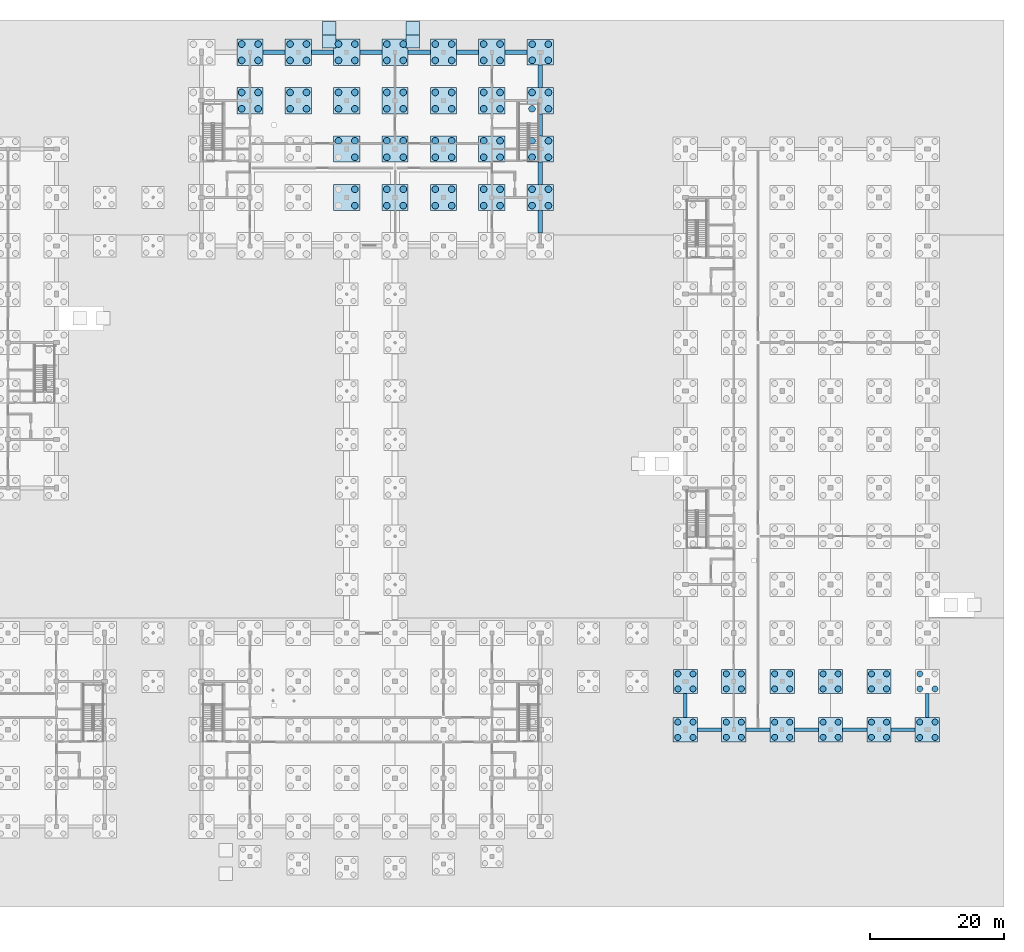
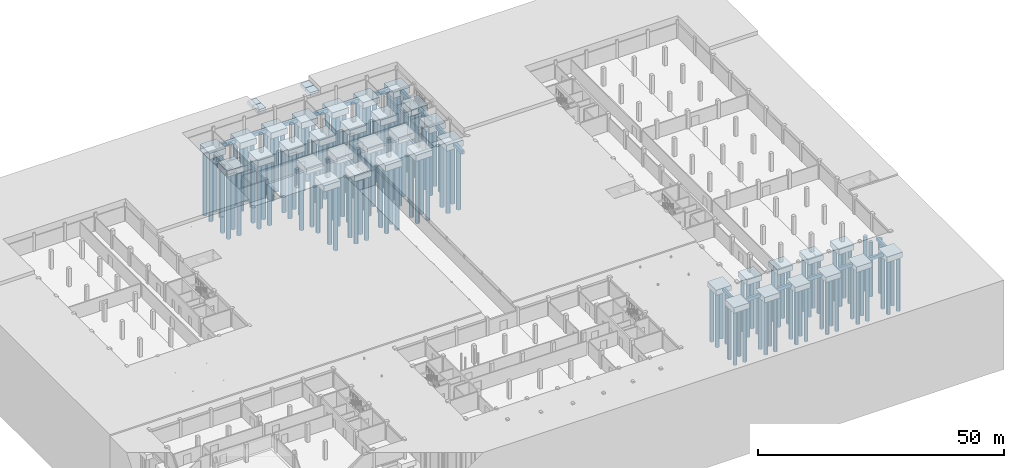
# One storey, part 6 of 51: 140 piles, 56 footings.
"""IFC4 building model written with IfcOpenShell, lengths in metres."""

from ifc_helpers import new_model, si_unit, direction, frame, origin, origin_2d, place, context, subcontext, project, spatial, rectangle, circle, extrude, material, material_profile, profile_set, type_object, element, save


model = new_model("IFC4")

# Units and contexts
model_context = context("Model", 3, precision=1e-05, world=origin(), true_north=direction((0.0, 1.0)))
body_context = subcontext(model_context, "Body", "Model", "MODEL_VIEW")
ifc_project = project(units=[si_unit("LENGTHUNIT", "METRE"), si_unit("AREAUNIT", "SQUARE_METRE"), si_unit("VOLUMEUNIT", "CUBIC_METRE"), si_unit("PLANEANGLEUNIT", "RADIAN"), si_unit("MASSUNIT", "GRAM", prefix="KILO")], contexts=[model_context])

# Site, building, storey
site_placement = place(None, origin())
site = spatial("IfcSite", under=ifc_project, at=site_placement, CompositionType="ELEMENT")
building_placement = place(site_placement, origin())
building = spatial("IfcBuilding", under=site, at=building_placement, Name="Zlatovets Crest Museum", CompositionType="ELEMENT")
storey_placement = place(building_placement, frame((0.0, 0.0, -4.5)))
storey = spatial("IfcBuildingStorey", under=building, at=storey_placement, Name="B1", CompositionType="ELEMENT", Elevation=-4.5)

# Piles
ifc_material = material(Name="Concrete C35/45", Category="concrete")
ifc_material_profile_1 = material_profile(ifc_material, circle(Radius=0.5, at=origin_2d()), Name="PILE D1000")
ifc_profile_set_1 = profile_set([ifc_material_profile_1], Name="Concrete C35/45")
pile_type_1 = type_object("IfcPileType", Name="BoredPile_PL-03", PredefinedType="BORED", material=ifc_profile_set_1)
for number, where, z_axis, x_axis, name in (
    (1, (63.580078125, 106.780029296875, -1.75), (0.0, 0.0, -1.0), (1.0, 0.0, 0.0), "Bored pile PL-03 V1-X01Y03.1"),
    (2, (63.580078125, 109.219970703125, -1.75), (0.0, 0.0, -1.0), (1.0, 0.0, 0.0), "Bored pile PL-03 V1-X01Y03.2"),
    (3, (66.02001953125, 106.780029296875, -1.75), (0.0, 0.0, -1.0), (1.0, 0.0, 0.0), "Bored pile PL-03 V1-X01Y03.3"),
    (4, (66.02001953125, 109.219970703125, -1.75), (0.0, 0.0, -1.0), (1.0, 0.0, 0.0), "Bored pile PL-03 V1-X01Y03.4"),
    (5, (63.580078125, 113.97998046875, -1.75), (0.0, 0.0, -1.0), (1.0, 0.0, 0.0), "Bored pile PL-03 V1-X01Y04.1"),
    (6, (63.580078125, 116.419921875, -1.75), (0.0, 0.0, -1.0), (1.0, 0.0, 0.0), "Bored pile PL-03 V1-X01Y04.2"),
    (7, (66.02001953125, 113.97998046875, -1.75), (0.0, 0.0, -1.0), (1.0, 0.0, 0.0), "Bored pile PL-03 V1-X01Y04.3"),
    (8, (66.02001953125, 116.419921875, -1.75), (0.0, 0.0, -1.0), (1.0, 0.0, 0.0), "Bored pile PL-03 V1-X01Y04.4"),
    (9, (70.780029296875, 106.780029296875, -1.75), (0.0, 0.0, -1.0), (1.0, 0.0, 0.0), "Bored pile PL-03 V1-X02Y03.1"),
    (10, (70.780029296875, 109.219970703125, -1.75), (0.0, 0.0, -1.0), (1.0, 0.0, 0.0), "Bored pile PL-03 V1-X02Y03.2"),
    (11, (73.219970703125, 106.780029296875, -1.75), (0.0, 0.0, -1.0), (1.0, 0.0, 0.0), "Bored pile PL-03 V1-X02Y03.3"),
    (12, (73.219970703125, 109.219970703125, -1.75), (0.0, 0.0, -1.0), (1.0, 0.0, 0.0), "Bored pile PL-03 V1-X02Y03.4"),
    (13, (70.780029296875, 113.97998046875, -1.75), (0.0, 0.0, -1.0), (1.0, 0.0, 0.0), "Bored pile PL-03 V1-X02Y04.1"),
    (14, (70.780029296875, 116.419921875, -1.75), (0.0, 0.0, -1.0), (1.0, 0.0, 0.0), "Bored pile PL-03 V1-X02Y04.2"),
    (15, (73.219970703125, 113.97998046875, -1.75), (0.0, 0.0, -1.0), (1.0, 0.0, 0.0), "Bored pile PL-03 V1-X02Y04.3"),
    (16, (73.219970703125, 116.419921875, -1.75), (0.0, 0.0, -1.0), (1.0, 0.0, 0.0), "Bored pile PL-03 V1-X02Y04.4"),
    (17, (80.419921875, 92.3798828125, -1.75), (0.0, 0.0, -1.0), (1.0, 0.0, 0.0), "Bored pile PL-03 V1-X03Y01.3"),
    (18, (80.419921875, 94.820068359375, -1.75), (0.0, 0.0, -1.0), (1.0, 0.0, 0.0), "Bored pile PL-03 V1-X03Y01.4"),
    (19, (77.97998046875, 102.02001953125, -1.75), (0.0, 0.0, -1.0), (1.0, 0.0, 0.0), "Bored pile PL-03 V1-X03Y02.2"),
    (20, (80.419921875, 99.580078125, -1.75), (0.0, 0.0, -1.0), (1.0, 0.0, 0.0), "Bored pile PL-03 V1-X03Y02.3"),
    (21, (80.419921875, 102.02001953125, -1.75), (0.0, 0.0, -1.0), (1.0, 0.0, 0.0), "Bored pile PL-03 V1-X03Y02.4"),
    (22, (77.97998046875, 106.780029296875, -1.75), (0.0, 0.0, -1.0), (1.0, 0.0, 0.0), "Bored pile PL-03 V1-X03Y03.1"),
    (23, (77.97998046875, 109.219970703125, -1.75), (0.0, 0.0, -1.0), (1.0, 0.0, 0.0), "Bored pile PL-03 V1-X03Y03.2"),
    (24, (80.419921875, 106.780029296875, -1.75), (0.0, 0.0, -1.0), (1.0, 0.0, 0.0), "Bored pile PL-03 V1-X03Y03.3"),
    (25, (80.419921875, 109.219970703125, -1.75), (0.0, 0.0, -1.0), (1.0, 0.0, 0.0), "Bored pile PL-03 V1-X03Y03.4"),
    (26, (77.97998046875, 113.97998046875, -1.75), (0.0, 0.0, -1.0), (1.0, 0.0, 0.0), "Bored pile PL-03 V1-X03Y04.1"),
    (27, (77.97998046875, 116.419921875, -1.75), (0.0, 0.0, -1.0), (1.0, 0.0, 0.0), "Bored pile PL-03 V1-X03Y04.2"),
    (28, (80.419921875, 113.97998046875, -1.75), (0.0, 0.0, -1.0), (1.0, 0.0, 0.0), "Bored pile PL-03 V1-X03Y04.3"),
    (29, (80.419921875, 116.419921875, -1.75), (0.0, 0.0, -1.0), (1.0, 0.0, 0.0), "Bored pile PL-03 V1-X03Y04.4"),
    (30, (85.179931640625, 92.3798828125, -1.75), (0.0, 0.0, -1.0), (1.0, 0.0, 0.0), "Bored pile PL-03 V1-X04Y01.1"),
    (31, (85.179931640625, 94.820068359375, -1.75), (0.0, 0.0, -1.0), (1.0, 0.0, 0.0), "Bored pile PL-03 V1-X04Y01.2"),
    (32, (87.6201171875, 92.3798828125, -1.75), (0.0, 0.0, -1.0), (1.0, 0.0, 0.0), "Bored pile PL-03 V1-X04Y01.3"),
    (33, (87.6201171875, 94.820068359375, -1.75), (0.0, 0.0, -1.0), (1.0, 0.0, 0.0), "Bored pile PL-03 V1-X04Y01.4"),
    (34, (85.179931640625, 99.580078125, -1.75), (0.0, 0.0, -1.0), (1.0, 0.0, 0.0), "Bored pile PL-03 V1-X04Y02.1"),
    (35, (85.179931640625, 102.02001953125, -1.75), (0.0, 0.0, -1.0), (1.0, 0.0, 0.0), "Bored pile PL-03 V1-X04Y02.2"),
    (36, (87.6201171875, 99.580078125, -1.75), (0.0, 0.0, -1.0), (1.0, 0.0, 0.0), "Bored pile PL-03 V1-X04Y02.3"),
    (37, (87.6201171875, 102.02001953125, -1.75), (0.0, 0.0, -1.0), (1.0, 0.0, 0.0), "Bored pile PL-03 V1-X04Y02.4"),
    (38, (85.179931640625, 106.780029296875, -1.75), (0.0, 0.0, -1.0), (1.0, 0.0, 0.0), "Bored pile PL-03 V1-X04Y03.1"),
    (39, (85.179931640625, 109.219970703125, -1.75), (0.0, 0.0, -1.0), (1.0, 0.0, 0.0), "Bored pile PL-03 V1-X04Y03.2"),
    (40, (87.6201171875, 106.780029296875, -1.75), (0.0, 0.0, -1.0), (1.0, 0.0, 0.0), "Bored pile PL-03 V1-X04Y03.3"),
    (41, (87.6201171875, 109.219970703125, -1.75), (0.0, 0.0, -1.0), (1.0, 0.0, 0.0), "Bored pile PL-03 V1-X04Y03.4"),
    (42, (85.179931640625, 113.97998046875, -1.75), (0.0, 0.0, -1.0), (1.0, 0.0, 0.0), "Bored pile PL-03 V1-X04Y04.1"),
    (43, (85.179931640625, 116.419921875, -1.75), (0.0, 0.0, -1.0), (1.0, 0.0, 0.0), "Bored pile PL-03 V1-X04Y04.2"),
    (44, (87.6201171875, 113.97998046875, -1.75), (0.0, 0.0, -1.0), (1.0, 0.0, 0.0), "Bored pile PL-03 V1-X04Y04.3"),
    (45, (87.6201171875, 116.419921875, -1.75), (0.0, 0.0, -1.0), (1.0, 0.0, 0.0), "Bored pile PL-03 V1-X04Y04.4"),
    (46, (92.3798828125, 92.3798828125, -1.75), (0.0, 0.0, -1.0), (1.0, 0.0, 0.0), "Bored pile PL-03 V1-X05Y01.1"),
    (47, (92.3798828125, 94.820068359375, -1.75), (0.0, 0.0, -1.0), (1.0, 0.0, 0.0), "Bored pile PL-03 V1-X05Y01.2"),
    (48, (94.820068359375, 92.3798828125, -1.75), (0.0, 0.0, -1.0), (1.0, 0.0, 0.0), "Bored pile PL-03 V1-X05Y01.3"),
    (49, (94.820068359375, 94.820068359375, -1.75), (0.0, 0.0, -1.0), (1.0, 0.0, 0.0), "Bored pile PL-03 V1-X05Y01.4"),
    (50, (92.3798828125, 99.580078125, -1.75), (0.0, 0.0, -1.0), (1.0, 0.0, 0.0), "Bored pile PL-03 V1-X05Y02.1"),
    (51, (92.3798828125, 102.02001953125, -1.75), (0.0, 0.0, -1.0), (1.0, 0.0, 0.0), "Bored pile PL-03 V1-X05Y02.2"),
    (52, (94.820068359375, 99.580078125, -1.75), (0.0, 0.0, -1.0), (1.0, 0.0, 0.0), "Bored pile PL-03 V1-X05Y02.3"),
    (53, (94.820068359375, 102.02001953125, -1.75), (0.0, 0.0, -1.0), (1.0, 0.0, 0.0), "Bored pile PL-03 V1-X05Y02.4"),
    (54, (92.3798828125, 106.780029296875, -1.75), (0.0, 0.0, -1.0), (1.0, 0.0, 0.0), "Bored pile PL-03 V1-X05Y03.1"),
    (55, (92.3798828125, 109.219970703125, -1.75), (0.0, 0.0, -1.0), (1.0, 0.0, 0.0), "Bored pile PL-03 V1-X05Y03.2"),
    (56, (94.820068359375, 106.780029296875, -1.75), (0.0, 0.0, -1.0), (1.0, 0.0, 0.0), "Bored pile PL-03 V1-X05Y03.3"),
    (57, (94.820068359375, 109.219970703125, -1.75), (0.0, 0.0, -1.0), (1.0, 0.0, 0.0), "Bored pile PL-03 V1-X05Y03.4"),
    (58, (92.3798828125, 113.97998046875, -1.75), (0.0, 0.0, -1.0), (1.0, 0.0, 0.0), "Bored pile PL-03 V1-X05Y04.1"),
    (59, (92.3798828125, 116.419921875, -1.75), (0.0, 0.0, -1.0), (1.0, 0.0, 0.0), "Bored pile PL-03 V1-X05Y04.2"),
    (60, (94.820068359375, 113.97998046875, -1.75), (0.0, 0.0, -1.0), (1.0, 0.0, 0.0), "Bored pile PL-03 V1-X05Y04.3"),
    (61, (94.820068359375, 116.419921875, -1.75), (0.0, 0.0, -1.0), (1.0, 0.0, 0.0), "Bored pile PL-03 V1-X05Y04.4"),
    (62, (99.580078125, 92.3798828125, -1.75), (0.0, 0.0, -1.0), (1.0, 0.0, 0.0), "Bored pile PL-03 V1-X06Y01.1"),
    (63, (99.580078125, 94.820068359375, -1.75), (0.0, 0.0, -1.0), (1.0, 0.0, 0.0), "Bored pile PL-03 V1-X06Y01.2"),
    (64, (102.02001953125, 92.3798828125, -1.75), (0.0, 0.0, -1.0), (1.0, 0.0, 0.0), "Bored pile PL-03 V1-X06Y01.3"),
    (65, (102.02001953125, 94.820068359375, -1.75), (0.0, 0.0, -1.0), (1.0, 0.0, 0.0), "Bored pile PL-03 V1-X06Y01.4"),
    (66, (99.580078125, 99.580078125, -1.75), (0.0, 0.0, -1.0), (1.0, 0.0, 0.0), "Bored pile PL-03 V1-X06Y02.1"),
    (67, (99.580078125, 102.02001953125, -1.75), (0.0, 0.0, -1.0), (1.0, 0.0, 0.0), "Bored pile PL-03 V1-X06Y02.2"),
    (68, (102.02001953125, 99.580078125, -1.75), (0.0, 0.0, -1.0), (1.0, 0.0, 0.0), "Bored pile PL-03 V1-X06Y02.3"),
    (69, (102.02001953125, 102.02001953125, -1.75), (0.0, 0.0, -1.0), (1.0, 0.0, 0.0), "Bored pile PL-03 V1-X06Y02.4"),
    (70, (99.580078125, 106.780029296875, -1.75), (0.0, 0.0, -1.0), (1.0, 0.0, 0.0), "Bored pile PL-03 V1-X06Y03.1"),
    (71, (99.580078125, 109.219970703125, -1.75), (0.0, 0.0, -1.0), (1.0, 0.0, 0.0), "Bored pile PL-03 V1-X06Y03.2"),
    (72, (102.02001953125, 106.780029296875, -1.75), (0.0, 0.0, -1.0), (1.0, 0.0, 0.0), "Bored pile PL-03 V1-X06Y03.3"),
    (73, (102.02001953125, 109.219970703125, -1.75), (0.0, 0.0, -1.0), (1.0, 0.0, 0.0), "Bored pile PL-03 V1-X06Y03.4"),
    (74, (99.580078125, 113.97998046875, -1.75), (0.0, 0.0, -1.0), (1.0, 0.0, 0.0), "Bored pile PL-03 V1-X06Y04.1"),
    (75, (99.580078125, 116.419921875, -1.75), (0.0, 0.0, -1.0), (1.0, 0.0, 0.0), "Bored pile PL-03 V1-X06Y04.2"),
    (76, (102.02001953125, 113.97998046875, -1.75), (0.0, 0.0, -1.0), (1.0, 0.0, 0.0), "Bored pile PL-03 V1-X06Y04.3"),
    (77, (102.02001953125, 116.419921875, -1.75), (0.0, 0.0, -1.0), (1.0, 0.0, 0.0), "Bored pile PL-03 V1-X06Y04.4"),
    (78, (106.780029296875, 92.3798828125, -1.75), (0.0, 0.0, -1.0), (1.0, 0.0, 0.0), "Bored pile PL-03 V1-X07Y01.1"),
    (79, (106.780029296875, 94.820068359375, -1.75), (0.0, 0.0, -1.0), (1.0, 0.0, 0.0), "Bored pile PL-03 V1-X07Y01.2"),
    (80, (109.219970703125, 92.3798828125, -1.75), (0.0, 0.0, -1.0), (1.0, 0.0, 0.0), "Bored pile PL-03 V1-X07Y01.3"),
    (81, (109.219970703125, 94.820068359375, -1.75), (0.0, 0.0, -1.0), (1.0, 0.0, 0.0), "Bored pile PL-03 V1-X07Y01.4"),
    (82, (106.780029296875, 99.580078125, -1.75), (0.0, 0.0, -1.0), (1.0, 0.0, 0.0), "Bored pile PL-03 V1-X07Y02.1"),
    (83, (106.780029296875, 102.02001953125, -1.75), (0.0, 0.0, -1.0), (1.0, 0.0, 0.0), "Bored pile PL-03 V1-X07Y02.2"),
    (84, (109.219970703125, 99.580078125, -1.75), (0.0, 0.0, -1.0), (1.0, 0.0, 0.0), "Bored pile PL-03 V1-X07Y02.3"),
    (85, (109.219970703125, 102.02001953125, -1.75), (0.0, 0.0, -1.0), (1.0, 0.0, 0.0), "Bored pile PL-03 V1-X07Y02.4"),
    (86, (106.780029296875, 106.780029296875, -1.75), (0.0, 0.0, -1.0), (1.0, 0.0, 0.0), "Bored pile PL-03 V1-X07Y03.1"),
    (87, (106.780029296875, 109.219970703125, -1.75), (0.0, 0.0, -1.0), (1.0, 0.0, 0.0), "Bored pile PL-03 V1-X07Y03.2"),
    (88, (109.219970703125, 106.780029296875, -1.75), (0.0, 0.0, -1.0), (1.0, 0.0, 0.0), "Bored pile PL-03 V1-X07Y03.3"),
    (89, (109.219970703125, 109.219970703125, -1.75), (0.0, 0.0, -1.0), (1.0, 0.0, 0.0), "Bored pile PL-03 V1-X07Y03.4"),
    (90, (106.800048828125, 114.0, -1.699951171875), (0.0, 0.0, -1.0), (1.0, 0.0, 0.0), "Bored pile PL-03 V1-X07Y04.1"),
    (91, (106.800048828125, 116.39990234375, -1.699951171875), (0.0, 0.0, -1.0), (1.0, 0.0, 0.0), "Bored pile PL-03 V1-X07Y04.2"),
    (92, (109.199951171875, 114.0, -1.699951171875), (0.0, 0.0, -1.0), (1.0, 0.0, 0.0), "Bored pile PL-03 V1-X07Y04.3"),
    (93, (109.199951171875, 116.39990234375, -1.699951171875), (0.0, 0.0, -1.0), (1.0, 0.0, 0.0), "Bored pile PL-03 V1-X07Y04.4"),
):
    element("IfcPile", number, at=place(storey_placement, frame(where, z_axis=z_axis, x_axis=x_axis)), inside=storey, type_object=pile_type_1, Name=name, PredefinedType="BORED", context=body_context, shape_type="SweptSolid", body=[
        extrude(circle(Radius=0.5, at=origin_2d()), origin(), (0.0, 0.0, 1.0), 16.0),
    ])
ifc_material_profile_2 = material_profile(ifc_material, circle(Radius=0.449951171875, at=origin_2d()), Name="PILE D900")
ifc_profile_set_2 = profile_set([ifc_material_profile_2], Name="Concrete C35/45")
pile_type_2 = type_object("IfcPileType", Name="BoredPile_PL-04", PredefinedType="BORED", material=ifc_profile_set_2)
for number, where, z_axis, x_axis, name in (
    (94, (128.4599609375, 13.260009765625, -1.60009765625), (0.0, 0.0, -1.0), (1.0, 0.0, 0.0), "Bored pile PL-04 V5-X00Y00.1"),
    (95, (128.4599609375, 15.5400390625, -1.60009765625), (0.0, 0.0, -1.0), (1.0, 0.0, 0.0), "Bored pile PL-04 V5-X00Y00.2"),
    (96, (130.739990234375, 13.260009765625, -1.60009765625), (0.0, 0.0, -1.0), (1.0, 0.0, 0.0), "Bored pile PL-04 V5-X00Y00.3"),
    (97, (130.739990234375, 15.5400390625, -1.60009765625), (0.0, 0.0, -1.0), (1.0, 0.0, 0.0), "Bored pile PL-04 V5-X00Y00.4"),
    (98, (128.47998046875, 20.47998046875, -1.550048828125), (0.0, 0.0, -1.0), (1.0, 0.0, 0.0), "Bored pile PL-04 V5-X00Y01.1"),
    (99, (128.47998046875, 22.719970703125, -1.550048828125), (0.0, 0.0, -1.0), (1.0, 0.0, 0.0), "Bored pile PL-04 V5-X00Y01.2"),
    (100, (130.719970703125, 20.47998046875, -1.550048828125), (0.0, 0.0, -1.0), (1.0, 0.0, 0.0), "Bored pile PL-04 V5-X00Y01.3"),
    (101, (130.719970703125, 22.719970703125, -1.550048828125), (0.0, 0.0, -1.0), (1.0, 0.0, 0.0), "Bored pile PL-04 V5-X00Y01.4"),
    (102, (135.679931640625, 13.280029296875, -1.550048828125), (0.0, 0.0, -1.0), (1.0, 0.0, 0.0), "Bored pile PL-04 V5-X01Y00.1"),
    (103, (135.679931640625, 15.52001953125, -1.550048828125), (0.0, 0.0, -1.0), (1.0, 0.0, 0.0), "Bored pile PL-04 V5-X01Y00.2"),
    (104, (137.919921875, 13.280029296875, -1.550048828125), (0.0, 0.0, -1.0), (1.0, 0.0, 0.0), "Bored pile PL-04 V5-X01Y00.3"),
    (105, (137.919921875, 15.52001953125, -1.550048828125), (0.0, 0.0, -1.0), (1.0, 0.0, 0.0), "Bored pile PL-04 V5-X01Y00.4"),
    (106, (135.679931640625, 20.47998046875, -1.550048828125), (0.0, 0.0, -1.0), (1.0, 0.0, 0.0), "Bored pile PL-04 V5-X01Y01.1"),
    (107, (135.679931640625, 22.719970703125, -1.550048828125), (0.0, 0.0, -1.0), (1.0, 0.0, 0.0), "Bored pile PL-04 V5-X01Y01.2"),
    (108, (137.919921875, 20.47998046875, -1.550048828125), (0.0, 0.0, -1.0), (1.0, 0.0, 0.0), "Bored pile PL-04 V5-X01Y01.3"),
    (109, (137.919921875, 22.719970703125, -1.550048828125), (0.0, 0.0, -1.0), (1.0, 0.0, 0.0), "Bored pile PL-04 V5-X01Y01.4"),
    (110, (142.8798828125, 13.280029296875, -1.550048828125), (0.0, 0.0, -1.0), (1.0, 0.0, 0.0), "Bored pile PL-04 V5-X02Y00.1"),
    (111, (142.8798828125, 15.52001953125, -1.550048828125), (0.0, 0.0, -1.0), (1.0, 0.0, 0.0), "Bored pile PL-04 V5-X02Y00.2"),
    (112, (145.1201171875, 13.280029296875, -1.550048828125), (0.0, 0.0, -1.0), (1.0, 0.0, 0.0), "Bored pile PL-04 V5-X02Y00.3"),
    (113, (145.1201171875, 15.52001953125, -1.550048828125), (0.0, 0.0, -1.0), (1.0, 0.0, 0.0), "Bored pile PL-04 V5-X02Y00.4"),
    (114, (142.8798828125, 20.47998046875, -1.550048828125), (0.0, 0.0, -1.0), (1.0, 0.0, 0.0), "Bored pile PL-04 V5-X02Y01.1"),
    (115, (142.8798828125, 22.719970703125, -1.550048828125), (0.0, 0.0, -1.0), (1.0, 0.0, 0.0), "Bored pile PL-04 V5-X02Y01.2"),
    (116, (145.1201171875, 20.47998046875, -1.550048828125), (0.0, 0.0, -1.0), (1.0, 0.0, 0.0), "Bored pile PL-04 V5-X02Y01.3"),
    (117, (145.1201171875, 22.719970703125, -1.550048828125), (0.0, 0.0, -1.0), (1.0, 0.0, 0.0), "Bored pile PL-04 V5-X02Y01.4"),
    (118, (150.080078125, 13.280029296875, -1.550048828125), (0.0, 0.0, -1.0), (1.0, 0.0, 0.0), "Bored pile PL-04 V5-X03Y00.1"),
    (119, (150.080078125, 15.52001953125, -1.550048828125), (0.0, 0.0, -1.0), (1.0, 0.0, 0.0), "Bored pile PL-04 V5-X03Y00.2"),
    (120, (152.320068359375, 13.280029296875, -1.550048828125), (0.0, 0.0, -1.0), (1.0, 0.0, 0.0), "Bored pile PL-04 V5-X03Y00.3"),
    (121, (152.320068359375, 15.52001953125, -1.550048828125), (0.0, 0.0, -1.0), (1.0, 0.0, 0.0), "Bored pile PL-04 V5-X03Y00.4"),
    (122, (150.080078125, 20.47998046875, -1.550048828125), (0.0, 0.0, -1.0), (1.0, 0.0, 0.0), "Bored pile PL-04 V5-X03Y01.1"),
    (123, (150.080078125, 22.719970703125, -1.550048828125), (0.0, 0.0, -1.0), (1.0, 0.0, 0.0), "Bored pile PL-04 V5-X03Y01.2"),
    (124, (152.320068359375, 20.47998046875, -1.550048828125), (0.0, 0.0, -1.0), (1.0, 0.0, 0.0), "Bored pile PL-04 V5-X03Y01.3"),
    (125, (152.320068359375, 22.719970703125, -1.550048828125), (0.0, 0.0, -1.0), (1.0, 0.0, 0.0), "Bored pile PL-04 V5-X03Y01.4"),
    (126, (157.280029296875, 13.280029296875, -1.550048828125), (0.0, 0.0, -1.0), (1.0, 0.0, 0.0), "Bored pile PL-04 V5-X04Y00.1"),
    (127, (157.280029296875, 15.52001953125, -1.550048828125), (0.0, 0.0, -1.0), (1.0, 0.0, 0.0), "Bored pile PL-04 V5-X04Y00.2"),
    (128, (159.52001953125, 13.280029296875, -1.550048828125), (0.0, 0.0, -1.0), (1.0, 0.0, 0.0), "Bored pile PL-04 V5-X04Y00.3"),
    (129, (159.52001953125, 15.52001953125, -1.550048828125), (0.0, 0.0, -1.0), (1.0, 0.0, 0.0), "Bored pile PL-04 V5-X04Y00.4"),
    (130, (157.280029296875, 20.47998046875, -1.550048828125), (0.0, 0.0, -1.0), (1.0, 0.0, 0.0), "Bored pile PL-04 V5-X04Y01.1"),
    (131, (157.280029296875, 22.719970703125, -1.550048828125), (0.0, 0.0, -1.0), (1.0, 0.0, 0.0), "Bored pile PL-04 V5-X04Y01.2"),
    (132, (159.52001953125, 20.47998046875, -1.550048828125), (0.0, 0.0, -1.0), (1.0, 0.0, 0.0), "Bored pile PL-04 V5-X04Y01.3"),
    (133, (159.52001953125, 22.719970703125, -1.550048828125), (0.0, 0.0, -1.0), (1.0, 0.0, 0.0), "Bored pile PL-04 V5-X04Y01.4"),
    (134, (164.4599609375, 13.260009765625, -1.60009765625), (0.0, 0.0, -1.0), (1.0, 0.0, 0.0), "Bored pile PL-04 V5-X05Y00.1"),
    (135, (164.4599609375, 15.5400390625, -1.60009765625), (0.0, 0.0, -1.0), (1.0, 0.0, 0.0), "Bored pile PL-04 V5-X05Y00.2"),
    (136, (166.739990234375, 13.260009765625, -1.60009765625), (0.0, 0.0, -1.0), (1.0, 0.0, 0.0), "Bored pile PL-04 V5-X05Y00.3"),
    (137, (166.739990234375, 15.5400390625, -1.60009765625), (0.0, 0.0, -1.0), (1.0, 0.0, 0.0), "Bored pile PL-04 V5-X05Y00.4"),
    (138, (164.47998046875, 20.47998046875, -1.550048828125), (0.0, 0.0, -1.0), (1.0, 0.0, 0.0), "Bored pile PL-04 V5-X05Y01.1"),
    (139, (164.47998046875, 22.719970703125, -1.550048828125), (0.0, 0.0, -1.0), (1.0, 0.0, 0.0), "Bored pile PL-04 V5-X05Y01.2"),
    (140, (166.719970703125, 20.47998046875, -1.550048828125), (0.0, 0.0, -1.0), (1.0, 0.0, 0.0), "Bored pile PL-04 V5-X05Y01.3"),
):
    element("IfcPile", number, at=place(storey_placement, frame(where, z_axis=z_axis, x_axis=x_axis)), inside=storey, type_object=pile_type_2, Name=name, PredefinedType="BORED", context=body_context, shape_type="SweptSolid", body=[
        extrude(circle(Radius=0.449951171875, at=origin_2d()), origin(), (0.0, 0.0, 1.0), 13.5),
    ])

# Footings
ifc_material_profile_3 = material_profile(ifc_material, rectangle(XDim=0.5, YDim=0.75, at=origin_2d()), Name="RC 500x750")
ifc_profile_set_3 = profile_set([ifc_material_profile_3], Name="Concrete C35/45")
footing_type_1 = type_object("IfcFootingType", Name="GroundBeam_GB-01", PredefinedType="FOOTING_BEAM", material=ifc_profile_set_3)
footing_1_placement = place(storey_placement, frame((131.425048828125, 14.39990234375, -0.824951171875), z_axis=(1.0, 0.0, 0.0), x_axis=(0.0, 1.0, 0.0)))
element("IfcFooting", 141, at=footing_1_placement, inside=storey, type_object=footing_type_1, Name="Ground tie-beam GB-01", PredefinedType="FOOTING_BEAM", context=body_context, shape_type="SweptSolid", body=[
    extrude(rectangle(XDim=0.5, YDim=0.75, at=origin_2d()), origin(), (0.0, 0.0, 1.0), 3.574951171875),
])
for number, where, z_axis, x_axis, name in (
    (142, (138.60009765625, 14.39990234375, -0.824951171875), (1.0, 0.0, 0.0), (0.0, 1.0, 0.0), "Ground tie-beam GB-01"),
    (143, (145.800048828125, 14.39990234375, -0.824951171875), (1.0, 0.0, 0.0), (0.0, 1.0, 0.0), "Ground tie-beam GB-01"),
):
    element("IfcFooting", number, at=place(storey_placement, frame(where, z_axis=z_axis, x_axis=x_axis)), inside=storey, type_object=footing_type_1, Name=name, PredefinedType="FOOTING_BEAM", context=body_context, shape_type="SweptSolid", body=[
        extrude(rectangle(XDim=0.5, YDim=0.75, at=origin_2d()), origin(), (0.0, 0.0, 1.0), 3.599853515625),
    ])
footing_2_placement = place(storey_placement, frame((153.0, 14.39990234375, -0.824951171875), z_axis=(1.0, 0.0, 0.0), x_axis=(0.0, 1.0, 0.0)))
element("IfcFooting", 144, at=footing_2_placement, inside=storey, type_object=footing_type_1, Name="Ground tie-beam GB-01", PredefinedType="FOOTING_BEAM", context=body_context, shape_type="SweptSolid", body=[
    extrude(rectangle(XDim=0.5, YDim=0.75, at=origin_2d()), origin(), (0.0, 0.0, 1.0), 3.60009765625),
])
for number, where, z_axis, x_axis, name in (
    (145, (160.199951171875, 14.39990234375, -0.824951171875), (1.0, 0.0, 0.0), (0.0, 1.0, 0.0), "Ground tie-beam GB-01"),
    (146, (129.60009765625, 16.22509765625, -0.824951171875), (0.0, 1.0, 0.0), (-1.0, 0.0, 0.0), "Ground tie-beam GB-01"),
    (147, (165.60009765625, 16.22509765625, -0.824951171875), (0.0, 1.0, 0.0), (-1.0, 0.0, 0.0), "Ground tie-beam GB-01"),
):
    element("IfcFooting", number, at=place(storey_placement, frame(where, z_axis=z_axis, x_axis=x_axis)), inside=storey, type_object=footing_type_1, Name=name, PredefinedType="FOOTING_BEAM", context=body_context, shape_type="SweptSolid", body=[
        extrude(rectangle(XDim=0.5, YDim=0.75, at=origin_2d()), origin(), (0.0, 0.0, 1.0), 3.574951171875),
    ])
ifc_material_profile_4 = material_profile(ifc_material, rectangle(XDim=0.60009765625, YDim=0.85009765625, at=origin_2d()), Name="RC 600x850")
ifc_profile_set_4 = profile_set([ifc_material_profile_4], Name="Concrete C35/45")
footing_type_2 = type_object("IfcFootingType", Name="GroundBeam_GB-02", PredefinedType="FOOTING_BEAM", material=ifc_profile_set_4)
for number, where, z_axis, x_axis, name in (
    (148, (66.75, 115.199951171875, -0.875), (1.0, 0.0, 0.0), (0.0, 1.0, 0.0), "Ground tie-beam GB-02"),
    (149, (73.949951171875, 115.199951171875, -0.875), (1.0, 0.0, 0.0), (0.0, 1.0, 0.0), "Ground tie-beam GB-02"),
    (150, (81.14990234375, 115.199951171875, -0.875), (1.0, 0.0, 0.0), (0.0, 1.0, 0.0), "Ground tie-beam GB-02"),
):
    element("IfcFooting", number, at=place(storey_placement, frame(where, z_axis=z_axis, x_axis=x_axis)), inside=storey, type_object=footing_type_2, Name=name, PredefinedType="FOOTING_BEAM", context=body_context, shape_type="SweptSolid", body=[
        extrude(rectangle(XDim=0.60009765625, YDim=0.85009765625, at=origin_2d()), origin(), (0.0, 0.0, 1.0), 3.300048828125),
    ])
footing_3_placement = place(storey_placement, frame((88.35009765625, 115.199951171875, -0.875), z_axis=(1.0, 0.0, 0.0), x_axis=(0.0, 1.0, 0.0)))
element("IfcFooting", 151, at=footing_3_placement, inside=storey, type_object=footing_type_2, Name="Ground tie-beam GB-02", PredefinedType="FOOTING_BEAM", context=body_context, shape_type="SweptSolid", body=[
    extrude(rectangle(XDim=0.60009765625, YDim=0.85009765625, at=origin_2d()), origin(), (0.0, 0.0, 1.0), 3.2998046875),
])
footing_4_placement = place(storey_placement, frame((95.550048828125, 115.199951171875, -0.875), z_axis=(1.0, 0.0, 0.0), x_axis=(0.0, 1.0, 0.0)))
element("IfcFooting", 152, at=footing_4_placement, inside=storey, type_object=footing_type_2, Name="Ground tie-beam GB-02", PredefinedType="FOOTING_BEAM", context=body_context, shape_type="SweptSolid", body=[
    extrude(rectangle(XDim=0.60009765625, YDim=0.85009765625, at=origin_2d()), origin(), (0.0, 0.0, 1.0), 3.300048828125),
])
footing_5_placement = place(storey_placement, frame((102.75, 115.199951171875, -0.875), z_axis=(1.0, 0.0, 0.0), x_axis=(0.0, 1.0, 0.0)))
element("IfcFooting", 153, at=footing_5_placement, inside=storey, type_object=footing_type_2, Name="Ground tie-beam GB-02", PredefinedType="FOOTING_BEAM", context=body_context, shape_type="SweptSolid", body=[
    extrude(rectangle(XDim=0.60009765625, YDim=0.85009765625, at=origin_2d()), origin(), (0.0, 0.0, 1.0), 3.27490234375),
])
footing_6_placement = place(storey_placement, frame((108.0, 88.324951171875, -0.875), z_axis=(0.0, 1.0, 0.0), x_axis=(-1.0, 0.0, 0.0)))
element("IfcFooting", 154, at=footing_6_placement, inside=storey, type_object=footing_type_2, Name="Ground tie-beam GB-02", PredefinedType="FOOTING_BEAM", context=body_context, shape_type="SweptSolid", body=[
    extrude(rectangle(XDim=0.60009765625, YDim=0.85009765625, at=origin_2d()), origin(), (0.0, 0.0, 1.0), 3.324951171875),
])
for number, where, z_axis, x_axis, name in (
    (155, (108.0, 95.550048828125, -0.875), (0.0, 1.0, 0.0), (-1.0, 0.0, 0.0), "Ground tie-beam GB-02"),
    (156, (108.0, 102.75, -0.875), (0.0, 1.0, 0.0), (-1.0, 0.0, 0.0), "Ground tie-beam GB-02"),
):
    element("IfcFooting", number, at=place(storey_placement, frame(where, z_axis=z_axis, x_axis=x_axis)), inside=storey, type_object=footing_type_2, Name=name, PredefinedType="FOOTING_BEAM", context=body_context, shape_type="SweptSolid", body=[
        extrude(rectangle(XDim=0.60009765625, YDim=0.85009765625, at=origin_2d()), origin(), (0.0, 0.0, 1.0), 3.300048828125),
    ])
footing_7_placement = place(storey_placement, frame((108.0, 109.949951171875, -0.875), z_axis=(0.0, 1.0, 0.0), x_axis=(-1.0, 0.0, 0.0)))
element("IfcFooting", 157, at=footing_7_placement, inside=storey, type_object=footing_type_2, Name="Ground tie-beam GB-02", PredefinedType="FOOTING_BEAM", context=body_context, shape_type="SweptSolid", body=[
    extrude(rectangle(XDim=0.60009765625, YDim=0.85009765625, at=origin_2d()), origin(), (0.0, 0.0, 1.0), 3.324951171875),
])
footing_type_3 = type_object("IfcFootingType", Name="PadFooting_PF01", PredefinedType="PAD_FOOTING", material=ifc_material)
for number, where, z_axis, x_axis, name in (
    (158, (76.60009765625, 118.800048828125, 3.360107421875), (0.0, 0.0, 1.0), (1.0, 0.0, 0.0), "North Crest Plaza Pad Footing"),
    (159, (89.0, 118.800048828125, 3.360107421875), (0.0, 0.0, 1.0), (1.0, 0.0, 0.0), "North Crest Plaza Pad Footing"),
    (160, (76.60009765625, 116.800048828125, 3.360107421875), (0.0, 0.0, 1.0), (1.0, 0.0, 0.0), "North Crest Plaza Pad Footing"),
    (161, (89.0, 116.800048828125, 3.360107421875), (0.0, 0.0, 1.0), (1.0, 0.0, 0.0), "North Crest Plaza Pad Footing"),
):
    element("IfcFooting", number, at=place(storey_placement, frame(where, z_axis=z_axis, x_axis=x_axis)), inside=storey, type_object=footing_type_3, Name=name, PredefinedType="PAD_FOOTING", context=body_context, shape_type="SweptSolid", body=[
        extrude(rectangle(XDim=2.0, YDim=2.0, at=origin_2d()), origin(), (0.0, 0.0, 1.0), 0.89990234375),
    ])
footing_type_4 = type_object("IfcFootingType", Name="PileCap_PC-02", PredefinedType="PILE_CAP", material=ifc_material)
for number, where, z_axis, x_axis, name in (
    (162, (129.60009765625, 21.60009765625, -1.75), (0.0, 0.0, 1.0), (1.0, 0.0, 0.0), "Pile cap PC-02 at (129.6, 21.6)"),
    (163, (136.800048828125, 14.39990234375, -1.75), (0.0, 0.0, 1.0), (1.0, 0.0, 0.0), "Pile cap PC-02 at (136.8, 14.4)"),
    (164, (136.800048828125, 21.60009765625, -1.75), (0.0, 0.0, 1.0), (1.0, 0.0, 0.0), "Pile cap PC-02 at (136.8, 21.6)"),
    (165, (144.0, 14.39990234375, -1.75), (0.0, 0.0, 1.0), (1.0, 0.0, 0.0), "Pile cap PC-02 at (144.0, 14.4)"),
    (166, (144.0, 21.60009765625, -1.75), (0.0, 0.0, 1.0), (1.0, 0.0, 0.0), "Pile cap PC-02 at (144.0, 21.6)"),
    (167, (151.199951171875, 14.39990234375, -1.75), (0.0, 0.0, 1.0), (1.0, 0.0, 0.0), "Pile cap PC-02 at (151.2, 14.4)"),
    (168, (151.199951171875, 21.60009765625, -1.75), (0.0, 0.0, 1.0), (1.0, 0.0, 0.0), "Pile cap PC-02 at (151.2, 21.6)"),
    (169, (158.39990234375, 14.39990234375, -1.75), (0.0, 0.0, 1.0), (1.0, 0.0, 0.0), "Pile cap PC-02 at (158.4, 14.4)"),
    (170, (158.39990234375, 21.60009765625, -1.75), (0.0, 0.0, 1.0), (1.0, 0.0, 0.0), "Pile cap PC-02 at (158.4, 21.6)"),
):
    element("IfcFooting", number, at=place(storey_placement, frame(where, z_axis=z_axis, x_axis=x_axis)), inside=storey, type_object=footing_type_4, Name=name, PredefinedType="PILE_CAP", context=body_context, shape_type="SweptSolid", body=[
        extrude(rectangle(XDim=3.60009765625, YDim=3.60009765625, at=origin_2d()), origin(), (0.0, 0.0, 1.0), 1.300048828125),
    ])
footing_type_5 = type_object("IfcFootingType", Name="PileCap_PC-04", PredefinedType="PILE_CAP", material=ifc_material)
for number, where, z_axis, x_axis, name in (
    (171, (64.800048828125, 108.0, -1.949951171875), (0.0, 0.0, 1.0), (1.0, 0.0, 0.0), "Pile cap PC-04 at (64.8, 108.0)"),
    (172, (64.800048828125, 115.199951171875, -1.949951171875), (0.0, 0.0, 1.0), (1.0, 0.0, 0.0), "Pile cap PC-04 at (64.8, 115.2)"),
    (173, (72.0, 108.0, -1.949951171875), (0.0, 0.0, 1.0), (1.0, 0.0, 0.0), "Pile cap PC-04 at (72.0, 108.0)"),
    (174, (72.0, 115.199951171875, -1.949951171875), (0.0, 0.0, 1.0), (1.0, 0.0, 0.0), "Pile cap PC-04 at (72.0, 115.2)"),
    (175, (79.199951171875, 93.60009765625, -1.949951171875), (0.0, 0.0, 1.0), (1.0, 0.0, 0.0), "Pile cap PC-04 at (79.2, 93.6)"),
    (176, (79.199951171875, 100.800048828125, -1.949951171875), (0.0, 0.0, 1.0), (1.0, 0.0, 0.0), "Pile cap PC-04 at (79.2, 100.8)"),
    (177, (79.199951171875, 108.0, -1.949951171875), (0.0, 0.0, 1.0), (1.0, 0.0, 0.0), "Pile cap PC-04 at (79.2, 108.0)"),
    (178, (79.199951171875, 115.199951171875, -1.949951171875), (0.0, 0.0, 1.0), (1.0, 0.0, 0.0), "Pile cap PC-04 at (79.2, 115.2)"),
    (179, (86.39990234375, 93.60009765625, -1.949951171875), (0.0, 0.0, 1.0), (1.0, 0.0, 0.0), "Pile cap PC-04 at (86.4, 93.6)"),
    (180, (86.39990234375, 100.800048828125, -1.949951171875), (0.0, 0.0, 1.0), (1.0, 0.0, 0.0), "Pile cap PC-04 at (86.4, 100.8)"),
    (181, (86.39990234375, 108.0, -1.949951171875), (0.0, 0.0, 1.0), (1.0, 0.0, 0.0), "Pile cap PC-04 at (86.4, 108.0)"),
    (182, (86.39990234375, 115.199951171875, -1.949951171875), (0.0, 0.0, 1.0), (1.0, 0.0, 0.0), "Pile cap PC-04 at (86.4, 115.2)"),
    (183, (93.60009765625, 93.60009765625, -1.949951171875), (0.0, 0.0, 1.0), (1.0, 0.0, 0.0), "Pile cap PC-04 at (93.6, 93.6)"),
    (184, (93.60009765625, 100.800048828125, -1.949951171875), (0.0, 0.0, 1.0), (1.0, 0.0, 0.0), "Pile cap PC-04 at (93.6, 100.8)"),
    (185, (93.60009765625, 108.0, -1.949951171875), (0.0, 0.0, 1.0), (1.0, 0.0, 0.0), "Pile cap PC-04 at (93.6, 108.0)"),
    (186, (93.60009765625, 115.199951171875, -1.949951171875), (0.0, 0.0, 1.0), (1.0, 0.0, 0.0), "Pile cap PC-04 at (93.6, 115.2)"),
    (187, (100.800048828125, 93.60009765625, -1.949951171875), (0.0, 0.0, 1.0), (1.0, 0.0, 0.0), "Pile cap PC-04 at (100.8, 93.6)"),
    (188, (100.800048828125, 100.800048828125, -1.949951171875), (0.0, 0.0, 1.0), (1.0, 0.0, 0.0), "Pile cap PC-04 at (100.8, 100.8)"),
    (189, (100.800048828125, 108.0, -1.949951171875), (0.0, 0.0, 1.0), (1.0, 0.0, 0.0), "Pile cap PC-04 at (100.8, 108.0)"),
    (190, (100.800048828125, 115.199951171875, -1.949951171875), (0.0, 0.0, 1.0), (1.0, 0.0, 0.0), "Pile cap PC-04 at (100.8, 115.2)"),
    (191, (108.0, 93.60009765625, -1.949951171875), (0.0, 0.0, 1.0), (1.0, 0.0, 0.0), "Pile cap PC-04 at (108.0, 93.6)"),
    (192, (108.0, 100.800048828125, -1.949951171875), (0.0, 0.0, 1.0), (1.0, 0.0, 0.0), "Pile cap PC-04 at (108.0, 100.8)"),
    (193, (108.0, 108.0, -1.949951171875), (0.0, 0.0, 1.0), (1.0, 0.0, 0.0), "Pile cap PC-04 at (108.0, 108.0)"),
):
    element("IfcFooting", number, at=place(storey_placement, frame(where, z_axis=z_axis, x_axis=x_axis)), inside=storey, type_object=footing_type_5, Name=name, PredefinedType="PILE_CAP", context=body_context, shape_type="SweptSolid", body=[
        extrude(rectangle(XDim=3.89990234375, YDim=3.89990234375, at=origin_2d()), origin(), (0.0, 0.0, 1.0), 1.5),
    ])
footing_type_6 = type_object("IfcFootingType", Name="PileCap_PC-08", PredefinedType="PILE_CAP", material=ifc_material)
for number, where, z_axis, x_axis, name in (
    (194, (129.60009765625, 14.39990234375, -1.800048828125), (0.0, 0.0, 1.0), (1.0, 0.0, 0.0), "Pile cap PC-08 at (129.6, 14.4)"),
    (195, (165.60009765625, 14.39990234375, -1.800048828125), (0.0, 0.0, 1.0), (1.0, 0.0, 0.0), "Pile cap PC-08 at (165.6, 14.4)"),
):
    element("IfcFooting", number, at=place(storey_placement, frame(where, z_axis=z_axis, x_axis=x_axis)), inside=storey, type_object=footing_type_6, Name=name, PredefinedType="PILE_CAP", context=body_context, shape_type="SweptSolid", body=[
        extrude(rectangle(XDim=3.64990234375, YDim=3.64990234375, at=origin_2d()), origin(), (0.0, 0.0, 1.0), 1.35009765625),
    ])
footing_type_7 = type_object("IfcFootingType", Name="PileCap_PC-10", PredefinedType="PILE_CAP", material=ifc_material)
footing_8_placement = place(storey_placement, frame((108.0, 115.199951171875, -1.89990234375), z_axis=(0.0, 0.0, 1.0), x_axis=(1.0, 0.0, 0.0)))
element("IfcFooting", 196, at=footing_8_placement, inside=storey, type_object=footing_type_7, Name="Pile cap PC-10 at (108.0, 115.2)", PredefinedType="PILE_CAP", context=body_context, shape_type="SweptSolid", body=[
    extrude(rectangle(XDim=3.949951171875, YDim=3.85009765625, at=origin_2d()), origin(), (0.0, 0.0, 1.0), 1.449951171875),
])

save(model, "model.ifc")
